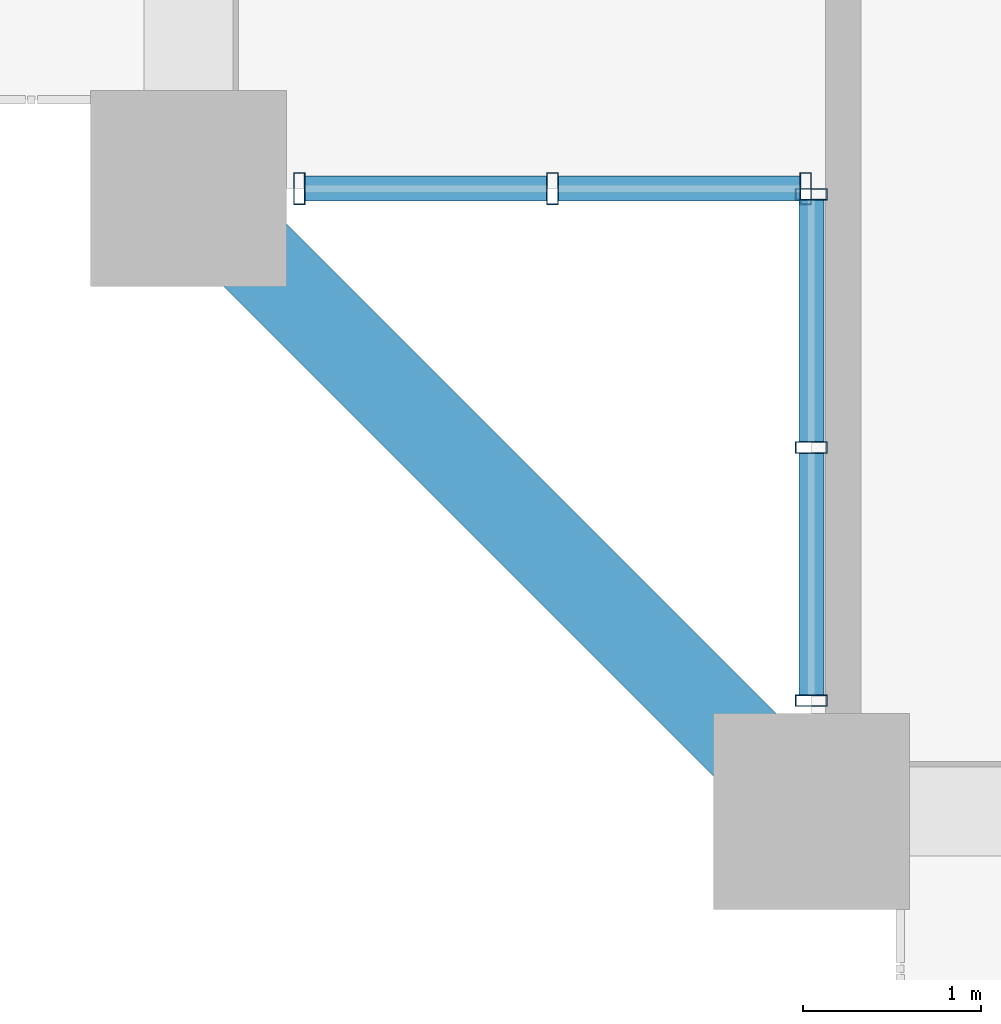
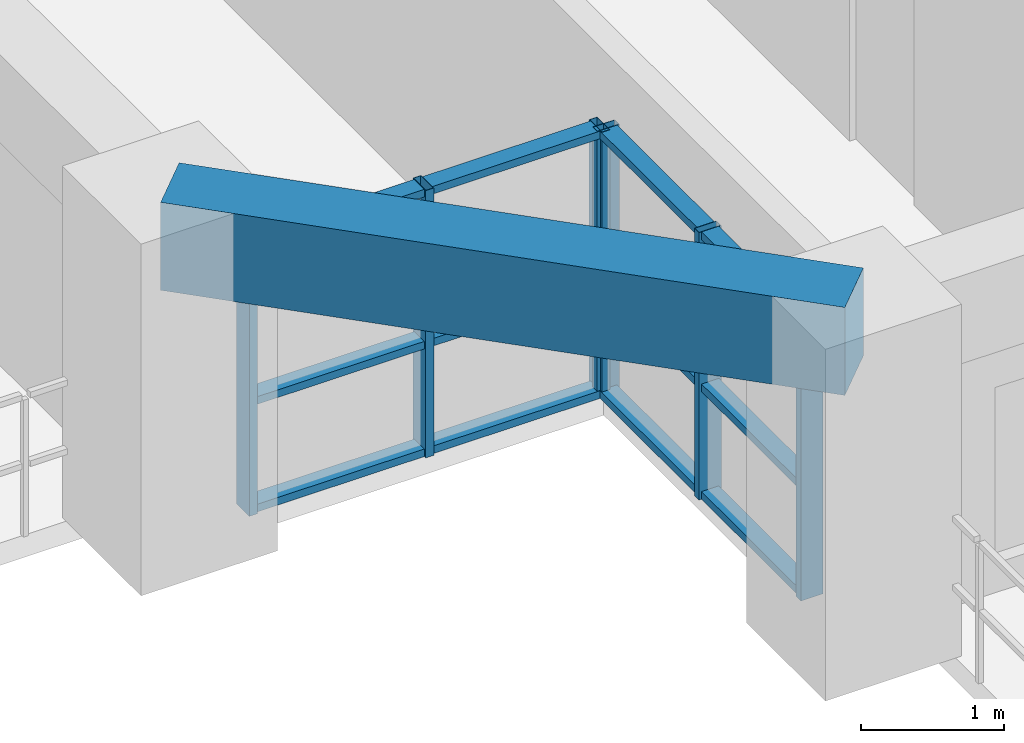
# One storey, part 2 of 27: 18 members, 1 beam, 2 elements without a shape of their own.
"""IFC4 building model written with IfcOpenShell, lengths in metres."""

from ifc_helpers import new_model, si_unit, direction, frame, origin, origin_2d, place, context, subcontext, project, spatial, rectangle, hollow_rectangle, extrude, source, transform, mapped, material, layer, layer_set, material_profile, profile_set, type_object, element, aggregate, save


model = new_model("IFC4")

# Units and contexts
model_context = context("Model", 3, precision=1e-05, world=origin(), true_north=direction((0.0, 1.0)))
body_context = subcontext(model_context, "Body", "Model", "MODEL_VIEW")
ifc_project = project(units=[si_unit("LENGTHUNIT", "METRE"), si_unit("AREAUNIT", "SQUARE_METRE"), si_unit("VOLUMEUNIT", "CUBIC_METRE"), si_unit("PLANEANGLEUNIT", "RADIAN"), si_unit("MASSUNIT", "GRAM", prefix="KILO")], contexts=[model_context])

# Site, building, storey
site_placement = place(None, origin())
site = spatial("IfcSite", under=ifc_project, at=site_placement, CompositionType="ELEMENT")
building_placement = place(site_placement, origin())
building = spatial("IfcBuilding", under=site, at=building_placement, Name="Saelheon Loggia Tower", CompositionType="ELEMENT")
storey_placement = place(building_placement, frame((0.0, 0.0, 43.39990234375)))
storey = spatial("IfcBuildingStorey", under=building, at=storey_placement, Name="L13", CompositionType="ELEMENT", Elevation=43.39990234375)

# Beam
ifc_material_1 = material(Name="Concrete C45/55", Category="concrete")
ifc_material_profile_1 = material_profile(ifc_material_1, rectangle(XDim=0.5, YDim=0.75, at=origin_2d()), Name="RC-500x750")
ifc_profile_set_1 = profile_set([ifc_material_profile_1], Name="Concrete C45/55")
beam_type = type_object("IfcBeamType", Name="Beam_PerimGirder_RC500x750", PredefinedType="BEAM", material=ifc_profile_set_1)
shared_shape_1 = source(origin(), body_context, "Body", "SweptSolid", [
    extrude(rectangle(XDim=0.5, YDim=0.75, at=origin_2d()), origin(), (0.0, 0.0, 1.0), 4.94970703125),
])
beam_placement = place(storey_placement, frame((12.0, 6.5, 2.625), z_axis=(0.707106781187, -0.707106781187, 0.0), x_axis=(0.707106781187, 0.707106781187, 0.0)))
element("IfcBeam", 1, at=beam_placement, inside=storey, type_object=beam_type, Name="L13 Perimeter Frame Girder 16", PredefinedType="BEAM", context=body_context, shape_type="MappedRepresentation", body=[
    mapped(shared_shape_1, transform((0.0, 0.0, 0.0), scale=1.0)),
])

# Curtain wall, members
ifc_material_2 = material(Name="Thermal-Break Aluminium and Triple Low-E Glass", Category="aluminium")
ifc_layer = layer(ifc_material_2, 0.159912109375)
ifc_layer_set = layer_set([ifc_layer], Name="Thermal-Break Aluminium and Triple Low-E Glass")
curtain_wall_type = type_object("IfcCurtainWallType", Name="CW_TowerLoggiaLow", PredefinedType="NOTDEFINED", material=ifc_layer_set)
curtain_wall_1_placement = place(storey_placement, origin())
curtain_wall_1 = element("IfcCurtainWall", 2, at=curtain_wall_1_placement, inside=storey, type_object=curtain_wall_type, Name="L13 Corner Notch Glazing SW1", PredefinedType="NOTDEFINED")
ifc_material_3 = material(Name="Anodised Aluminium 6063-T6", Category="aluminium")
ifc_material_profile_2 = material_profile(ifc_material_3, hollow_rectangle(XDim=0.06494140625, YDim=0.179931640625, WallThickness=0.00390625, at=origin_2d()), Name="RHS-180x65x4")
ifc_profile_set_2 = profile_set([ifc_material_profile_2], Name="Anodised Aluminium 6063-T6")
member_type_1 = type_object("IfcMemberType", Name="CW_TowerLoggiaLow_Mullion", PredefinedType="MULLION", material=ifc_profile_set_2)
shared_shape_2 = source(origin(), body_context, "Body", "SweptSolid", [
    extrude(hollow_rectangle(XDim=0.06494140625, YDim=0.179931640625, WallThickness=0.00390625, at=origin_2d()), origin(), (0.0, 0.0, 1.0), 2.280029296875),
])
member_1_placement = place(storey_placement, frame((15.5, 3.62255859375, 0.0), z_axis=(0.0, 0.0, 1.0), x_axis=(0.0, 1.0, 0.0)))
member_1 = element("IfcMember", 3, at=member_1_placement, type_object=member_type_1, Name="CW3 mullion 1", PredefinedType="MULLION", context=body_context, shape_type="MappedRepresentation", body=[
    mapped(shared_shape_2, transform((0.0, 0.0, 0.0), scale=1.0)),
])
member_2_placement = place(storey_placement, frame((15.5, 5.044921875, 0.0), z_axis=(0.0, 0.0, 1.0), x_axis=(0.0, 1.0, 0.0)))
member_2 = element("IfcMember", 4, at=member_2_placement, type_object=member_type_1, Name="CW3 mullion 2", PredefinedType="MULLION", context=body_context, shape_type="MappedRepresentation", body=[
    mapped(shared_shape_2, transform((0.0, 0.0, 0.0), scale=1.0)),
])
member_3_placement = place(storey_placement, frame((15.5, 6.467529296875, 0.0), z_axis=(0.0, 0.0, 1.0), x_axis=(0.0, 1.0, 0.0)))
member_3 = element("IfcMember", 5, at=member_3_placement, type_object=member_type_1, Name="CW3 mullion 3", PredefinedType="MULLION", context=body_context, shape_type="MappedRepresentation", body=[
    mapped(shared_shape_2, transform((0.0, 0.0, 0.0), scale=1.0)),
])

curtain_wall_2_placement = place(storey_placement, origin())
curtain_wall_2 = element("IfcCurtainWall", 6, at=curtain_wall_2_placement, inside=storey, type_object=curtain_wall_type, Name="L13 Corner Notch Glazing SW2", PredefinedType="NOTDEFINED")
member_4_placement = place(storey_placement, frame((12.62255859375, 6.5, 0.0), z_axis=(0.0, 0.0, 1.0), x_axis=(1.0, 0.0, 0.0)))
member_4 = element("IfcMember", 7, at=member_4_placement, type_object=member_type_1, Name="CW3 mullion 1", PredefinedType="MULLION", context=body_context, shape_type="MappedRepresentation", body=[
    mapped(shared_shape_2, transform((0.0, 0.0, 0.0), scale=1.0)),
])
member_5_placement = place(storey_placement, frame((14.044921875, 6.5, 0.0), z_axis=(0.0, 0.0, 1.0), x_axis=(1.0, 0.0, 0.0)))
member_5 = element("IfcMember", 8, at=member_5_placement, type_object=member_type_1, Name="CW3 mullion 2", PredefinedType="MULLION", context=body_context, shape_type="MappedRepresentation", body=[
    mapped(shared_shape_2, transform((0.0, 0.0, 0.0), scale=1.0)),
])
member_6_placement = place(storey_placement, frame((15.467529296875, 6.5, 0.0), z_axis=(0.0, 0.0, 1.0), x_axis=(1.0, 0.0, 0.0)))
member_6 = element("IfcMember", 9, at=member_6_placement, type_object=member_type_1, Name="CW3 mullion 3", PredefinedType="MULLION", context=body_context, shape_type="MappedRepresentation", body=[
    mapped(shared_shape_2, transform((0.0, 0.0, 0.0), scale=1.0)),
])

# Member
ifc_material_profile_3 = material_profile(ifc_material_3, hollow_rectangle(XDim=0.06494140625, YDim=0.139892578125, WallThickness=0.00390625, at=origin_2d()), Name="RHS-140x65x4")
ifc_profile_set_3 = profile_set([ifc_material_profile_3], Name="Anodised Aluminium 6063-T6")
member_type_2 = type_object("IfcMemberType", Name="CW_TowerLoggiaLow_Transom", PredefinedType="USERDEFINED", material=ifc_profile_set_3)
shared_shape_3 = source(origin(), body_context, "Body", "SweptSolid", [
    extrude(hollow_rectangle(XDim=0.06494140625, YDim=0.139892578125, WallThickness=0.00390625, at=origin_2d()), origin(), (0.0, 0.0, 1.0), 1.357421875),
])
member_7_placement = place(storey_placement, frame((15.5, 3.655029296875, 0.03271484375), z_axis=(0.0, 1.0, 0.0), x_axis=(0.0, 0.0, 1.0)))
member_7 = element("IfcMember", 10, at=member_7_placement, type_object=member_type_2, Name="CW3 transom 1.1", ObjectType="TRANSOM", PredefinedType="USERDEFINED", context=body_context, shape_type="MappedRepresentation", body=[
    mapped(shared_shape_3, transform((0.0, 0.0, 0.0), scale=1.0)),
])

member_8_placement = place(storey_placement, frame((15.5, 3.655029296875, 0.9501953125), z_axis=(0.0, 1.0, 0.0), x_axis=(0.0, 0.0, 1.0)))
member_8 = element("IfcMember", 11, at=member_8_placement, type_object=member_type_2, Name="CW3 transom 1.2", ObjectType="TRANSOM", PredefinedType="USERDEFINED", context=body_context, shape_type="MappedRepresentation", body=[
    mapped(shared_shape_3, transform((0.0, 0.0, 0.0), scale=1.0)),
])

member_9_placement = place(storey_placement, frame((15.5, 3.655029296875, 2.24755859375), z_axis=(0.0, 1.0, 0.0), x_axis=(0.0, 0.0, 1.0)))
member_9 = element("IfcMember", 12, at=member_9_placement, type_object=member_type_2, Name="CW3 transom 1.3", ObjectType="TRANSOM", PredefinedType="USERDEFINED", context=body_context, shape_type="MappedRepresentation", body=[
    mapped(shared_shape_3, transform((0.0, 0.0, 0.0), scale=1.0)),
])

member_10_placement = place(storey_placement, frame((12.655029296875, 6.5, 0.03271484375), z_axis=(1.0, 0.0, 0.0), x_axis=(0.0, 0.0, 1.0)))
member_10 = element("IfcMember", 13, at=member_10_placement, type_object=member_type_2, Name="CW3 transom 1.1", ObjectType="TRANSOM", PredefinedType="USERDEFINED", context=body_context, shape_type="MappedRepresentation", body=[
    mapped(shared_shape_3, transform((0.0, 0.0, 0.0), scale=1.0)),
])

member_11_placement = place(storey_placement, frame((12.655029296875, 6.5, 0.9501953125), z_axis=(1.0, 0.0, 0.0), x_axis=(0.0, 0.0, 1.0)))
member_11 = element("IfcMember", 14, at=member_11_placement, type_object=member_type_2, Name="CW3 transom 1.2", ObjectType="TRANSOM", PredefinedType="USERDEFINED", context=body_context, shape_type="MappedRepresentation", body=[
    mapped(shared_shape_3, transform((0.0, 0.0, 0.0), scale=1.0)),
])

member_12_placement = place(storey_placement, frame((12.655029296875, 6.5, 2.24755859375), z_axis=(1.0, 0.0, 0.0), x_axis=(0.0, 0.0, 1.0)))
member_12 = element("IfcMember", 15, at=member_12_placement, type_object=member_type_2, Name="CW3 transom 1.3", ObjectType="TRANSOM", PredefinedType="USERDEFINED", context=body_context, shape_type="MappedRepresentation", body=[
    mapped(shared_shape_3, transform((0.0, 0.0, 0.0), scale=1.0)),
])

shared_shape_4 = source(origin(), body_context, "Body", "SweptSolid", [
    extrude(hollow_rectangle(XDim=0.06494140625, YDim=0.139892578125, WallThickness=0.00390625, at=origin_2d()), origin(), (0.0, 0.0, 1.0), 1.357666015625),
])
member_13_placement = place(storey_placement, frame((15.5, 5.077392578125, 0.03271484375), z_axis=(0.0, 1.0, 0.0), x_axis=(0.0, 0.0, 1.0)))
member_13 = element("IfcMember", 16, at=member_13_placement, type_object=member_type_2, Name="CW3 transom 2.1", ObjectType="TRANSOM", PredefinedType="USERDEFINED", context=body_context, shape_type="MappedRepresentation", body=[
    mapped(shared_shape_4, transform((0.0, 0.0, 0.0), scale=1.0)),
])

member_14_placement = place(storey_placement, frame((15.5, 5.077392578125, 0.9501953125), z_axis=(0.0, 1.0, 0.0), x_axis=(0.0, 0.0, 1.0)))
member_14 = element("IfcMember", 17, at=member_14_placement, type_object=member_type_2, Name="CW3 transom 2.2", ObjectType="TRANSOM", PredefinedType="USERDEFINED", context=body_context, shape_type="MappedRepresentation", body=[
    mapped(shared_shape_4, transform((0.0, 0.0, 0.0), scale=1.0)),
])

member_15_placement = place(storey_placement, frame((15.5, 5.077392578125, 2.24755859375), z_axis=(0.0, 1.0, 0.0), x_axis=(0.0, 0.0, 1.0)))
member_15 = element("IfcMember", 18, at=member_15_placement, type_object=member_type_2, Name="CW3 transom 2.3", ObjectType="TRANSOM", PredefinedType="USERDEFINED", context=body_context, shape_type="MappedRepresentation", body=[
    mapped(shared_shape_4, transform((0.0, 0.0, 0.0), scale=1.0)),
])

aggregate(curtain_wall_1, [member_1, member_2, member_3, member_7, member_8, member_9, member_13, member_14, member_15])

member_16_placement = place(storey_placement, frame((14.077392578125, 6.5, 0.03271484375), z_axis=(1.0, 0.0, 0.0), x_axis=(0.0, 0.0, 1.0)))
member_16 = element("IfcMember", 19, at=member_16_placement, type_object=member_type_2, Name="CW3 transom 2.1", ObjectType="TRANSOM", PredefinedType="USERDEFINED", context=body_context, shape_type="MappedRepresentation", body=[
    mapped(shared_shape_4, transform((0.0, 0.0, 0.0), scale=1.0)),
])

member_17_placement = place(storey_placement, frame((14.077392578125, 6.5, 0.9501953125), z_axis=(1.0, 0.0, 0.0), x_axis=(0.0, 0.0, 1.0)))
member_17 = element("IfcMember", 20, at=member_17_placement, type_object=member_type_2, Name="CW3 transom 2.2", ObjectType="TRANSOM", PredefinedType="USERDEFINED", context=body_context, shape_type="MappedRepresentation", body=[
    mapped(shared_shape_4, transform((0.0, 0.0, 0.0), scale=1.0)),
])

member_18_placement = place(storey_placement, frame((14.077392578125, 6.5, 2.24755859375), z_axis=(1.0, 0.0, 0.0), x_axis=(0.0, 0.0, 1.0)))
member_18 = element("IfcMember", 21, at=member_18_placement, type_object=member_type_2, Name="CW3 transom 2.3", ObjectType="TRANSOM", PredefinedType="USERDEFINED", context=body_context, shape_type="MappedRepresentation", body=[
    mapped(shared_shape_4, transform((0.0, 0.0, 0.0), scale=1.0)),
])

aggregate(curtain_wall_2, [member_4, member_5, member_6, member_10, member_11, member_12, member_16, member_17, member_18])

save(model, "model.ifc")
